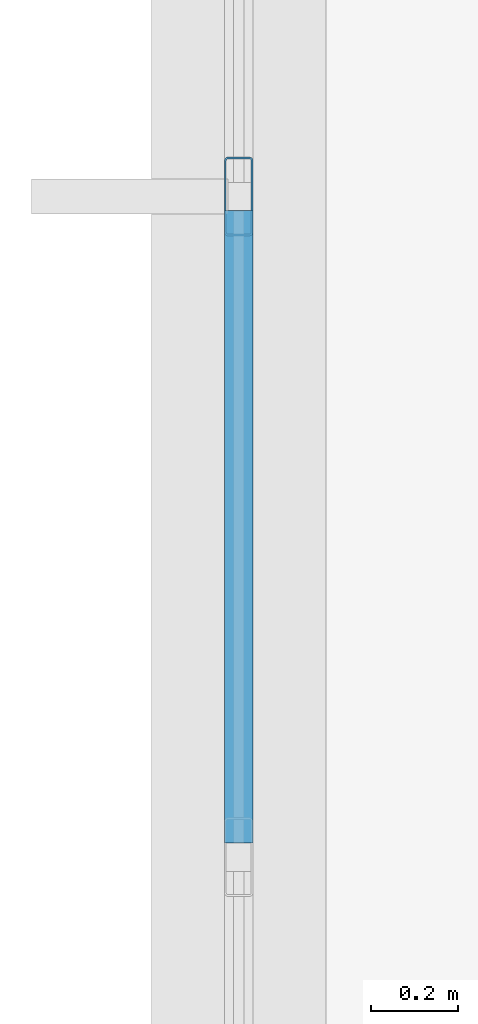
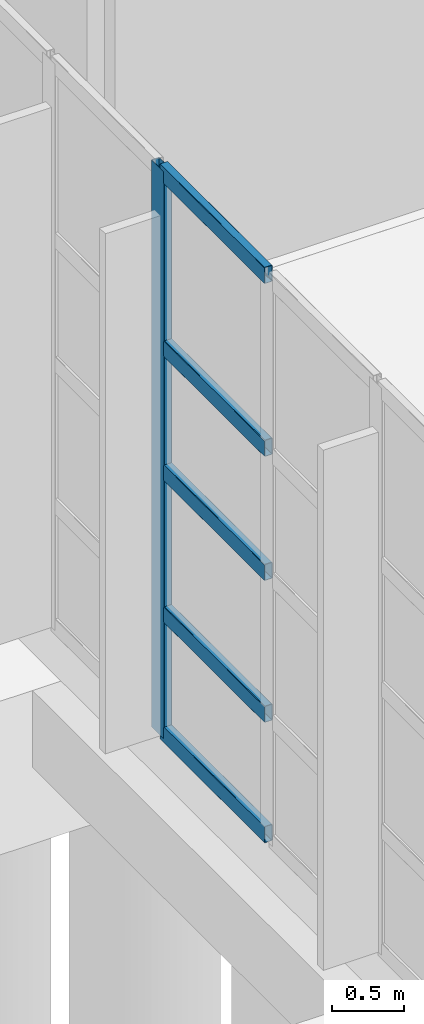
# One storey, part 27 of 83: 6 members, 1 element without a shape of its own.
"""IFC4 building model written with IfcOpenShell, lengths in metres."""

import ifcopenshell
import ifcopenshell.guid

model = None  # the IFC model being written
_history = None  # IfcOwnerHistory: only IFC2X3 demands one
_inside = {}  # id of a spatial element -> (the spatial element, [elements in it])
_under = {}  # id of a project, library or spatial element -> (it, [spatial elements below it])
_declared = {}  # id of a project -> (the project, [libraries it declares])
_typed = {}  # id of a type object -> (the type object, [elements of that type])
_made_of = {}  # id of a material, layer set ... -> (it, [elements and type objects made of it])


def new_model(schema):
    """Start an empty IFC model of exactly this schema.

    Asked for "IFC4X3", IfcOpenShell would pick the latest addendum, in which some entities
    have other attributes; the version numbers below select the first issue.
    IFC2X3 requires an IfcOwnerHistory on every rooted entity: one is made here for all.
    """
    global model, _history
    if schema == "IFC4X3":
        model = ifcopenshell.file(schema_version=(4, 3, 0, 0))
    else:
        model = ifcopenshell.file(schema=schema)
    _inside.clear()
    _under.clear()
    _declared.clear()
    _typed.clear()
    _made_of.clear()
    _history = None
    if model.schema == "IFC2X3":
        org = make("IfcOrganization", Name="unknown")
        user = make(
            "IfcPersonAndOrganization",
            ThePerson=make("IfcPerson", FamilyName="unknown"),
            TheOrganization=org,
        )
        app = make(
            "IfcApplication",
            ApplicationDeveloper=org,
            Version="unknown",
            ApplicationFullName="unknown",
            ApplicationIdentifier="unknown",
        )
        _history = make(
            "IfcOwnerHistory",
            OwningUser=user,
            OwningApplication=app,
            ChangeAction="ADDED",
            CreationDate=0,
        )
    return model


def make(cls, **values):
    """One entity of the class cls with the attributes given. An attribute that is None is left unset."""
    return model.create_entity(
        cls, **{name: value for name, value in values.items() if value is not None}
    )


def rooted(cls, **values):
    """An entity with a GlobalId (a new one), such as an element, a storey or a relation."""
    return make(cls, GlobalId=ifcopenshell.guid.new(), OwnerHistory=_history, **values)


def si_unit(unit_type, name, prefix=None):
    """IfcSIUnit, for example si_unit("LENGTHUNIT", "METRE", prefix="MILLI")."""
    return make("IfcSIUnit", UnitType=unit_type, Prefix=prefix, Name=name)


def assignment(units):
    """IfcUnitAssignment: the units of a project."""
    return None if units is None else make("IfcUnitAssignment", Units=units)


def point(xyz):
    """IfcCartesianPoint."""
    return None if xyz is None else make("IfcCartesianPoint", Coordinates=xyz)


def direction(xyz):
    """IfcDirection."""
    return None if xyz is None else make("IfcDirection", DirectionRatios=xyz)


def frame(location, z_axis=None, x_axis=None):
    """IfcAxis2Placement3D, a coordinate frame: its origin and axes. An axis left out is left unset."""
    return make(
        "IfcAxis2Placement3D",
        Location=point(location),
        Axis=direction(z_axis),
        RefDirection=direction(x_axis),
    )


def frame_2d(location, x_axis=None):
    """IfcAxis2Placement2D, a coordinate frame in the plane: its origin and x axis."""
    return make(
        "IfcAxis2Placement2D", Location=point(location), RefDirection=direction(x_axis)
    )


def origin():
    """The frame at (0, 0, 0) with its axes left unset."""
    return frame((0.0, 0.0, 0.0))


def origin_2d():
    """The frame at (0, 0) in the plane with its x axis left unset."""
    return frame_2d((0.0, 0.0))


def place(relative_to, where):
    """IfcLocalPlacement: puts the frame where relative to a parent placement (None: the world)."""
    return make(
        "IfcLocalPlacement", PlacementRelTo=relative_to, RelativePlacement=where
    )


def context(
    kind, dimensions, precision=None, world=None, true_north=None, identifier=None
):
    """IfcGeometricRepresentationContext, for example the 3D "Model" context."""
    return make(
        "IfcGeometricRepresentationContext",
        ContextIdentifier=identifier,
        ContextType=kind,
        CoordinateSpaceDimension=dimensions,
        Precision=precision,
        WorldCoordinateSystem=world,
        TrueNorth=true_north,
    )


def subcontext(parent, identifier, kind, view, scale=None):
    """IfcGeometricRepresentationSubContext, for example "Body" below "Model"."""
    return make(
        "IfcGeometricRepresentationSubContext",
        ContextIdentifier=identifier,
        ContextType=kind,
        ParentContext=parent,
        TargetScale=scale,
        TargetView=view,
    )


def project(units=None, contexts=None):
    """IfcProject with its units and contexts."""
    return rooted(
        "IfcProject",
        Name="project",
        RepresentationContexts=contexts,
        UnitsInContext=assignment(units),
    )


def spatial(cls, under=None, at=None, **own):
    """A site, building, storey or space (cls), placed at a placement, below another one or the project."""
    s = rooted(cls, ObjectPlacement=at, **own)
    if under is not None:
        _under.setdefault(under.id(), (under, []))[1].append(s)
    return s


def profile(cls, at=None, kind="AREA", **sizes):
    """A parametric profile (cls). Its sizes go by their IFC names, for example OverallWidth=200.0."""
    return make(cls, ProfileType=kind, Position=at, **sizes)


def hollow_rectangle(**sizes):
    """IfcRectangleHollowProfileDef."""
    return profile("IfcRectangleHollowProfileDef", **sizes)


def extrude(swept, where, along, depth):
    """IfcExtrudedAreaSolid: the profile swept, set in the frame where, extruded along a direction by depth."""
    return make(
        "IfcExtrudedAreaSolid",
        SweptArea=swept,
        Position=where,
        ExtrudedDirection=direction(along),
        Depth=depth,
    )


def shape(context_of_items, identifier, shape_type, items):
    """IfcShapeRepresentation: the items that make up one representation, for example the "Body"."""
    return make(
        "IfcShapeRepresentation",
        ContextOfItems=context_of_items,
        RepresentationIdentifier=identifier,
        RepresentationType=shape_type,
        Items=items,
    )


def material(Name=None, Category=None):
    """IfcMaterial."""
    return make("IfcMaterial", Name=Name, Category=Category)


def layer(
    of_material, thickness, ventilated=None, Name=None, Category=None, Priority=None
):
    """IfcMaterialLayer: one layer of a wall or slab, of a material (None: an air gap)."""
    return make(
        "IfcMaterialLayer",
        Material=of_material,
        LayerThickness=thickness,
        IsVentilated=ventilated,
        Name=Name,
        Category=Category,
        Priority=Priority,
    )


def layer_set(layers, Name=None):
    """IfcMaterialLayerSet."""
    return make("IfcMaterialLayerSet", MaterialLayers=layers, LayerSetName=Name)


def material_profile(
    of_material, cross_section, Name=None, Category=None, Priority=None
):
    """IfcMaterialProfile: a cross section and its material."""
    return make(
        "IfcMaterialProfile",
        Name=Name,
        Material=of_material,
        Profile=cross_section,
        Priority=Priority,
        Category=Category,
    )


def profile_set(profiles, Name=None, composite=None):
    """IfcMaterialProfileSet."""
    return make(
        "IfcMaterialProfileSet",
        Name=Name,
        MaterialProfiles=profiles,
        CompositeProfile=composite,
    )


def made_of(thing, what):
    """Note that an element or type object is made of a material, layer set ...; save() writes the relation."""
    if what is not None:
        _made_of.setdefault(what.id(), (what, []))[1].append(thing)
    return thing


def type_object(cls, material=None, **own):
    """A type object (cls), such as IfcWallType, which elements share."""
    return made_of(rooted(cls, **own), material)


def element(
    cls,
    number,
    at=None,
    inside=None,
    cuts=None,
    type_object=None,
    material=None,
    context=None,
    identifier="Body",
    shape_type=None,
    held_by="IfcProductDefinitionShape",
    body=None,
    shapes=None,
    **own,
):
    """One element of the class cls, such as IfcWall. Its Tag is "e" and its number.

    at: its placement. inside: the storey or other place that contains it. cuts: it is an
    opening in that element (IfcRelVoidsElement). A single representation is given by context,
    identifier, shape_type and body (its items); several are given by shapes. held_by: the class
    of the entity that holds the representations. save() writes the other relations.
    """
    e = rooted(cls, Tag="e%d" % number, ObjectPlacement=at, **own)
    if body is not None:
        shapes = [shape(context, identifier, shape_type, body)]
    if shapes is not None:
        e.Representation = make(held_by, Representations=shapes)
    if inside is not None:
        _inside.setdefault(inside.id(), (inside, []))[1].append(e)
    if cuts is not None:
        rooted(
            "IfcRelVoidsElement", RelatingBuildingElement=cuts, RelatedOpeningElement=e
        )
    if type_object is not None:
        _typed.setdefault(type_object.id(), (type_object, []))[1].append(e)
    return made_of(e, material)


def aggregate(whole, parts):
    """IfcRelAggregates: a whole, such as a stair, and the parts it consists of."""
    return rooted("IfcRelAggregates", RelatingObject=whole, RelatedObjects=parts)


def save(model, path):
    """Write the relations noted so far, then the file.

    IfcRelAggregates (storeys below a building ...), IfcRelContainedInSpatialStructure (elements
    in a storey), IfcRelDefinesByType, IfcRelAssociatesMaterial and IfcRelDeclares: one each for
    every whole, place, type object, material and project.
    """
    for whole, parts in _under.values():
        aggregate(whole, parts)
    for where, things in _inside.values():
        rooted(
            "IfcRelContainedInSpatialStructure",
            RelatedElements=things,
            RelatingStructure=where,
        )
    for kind, things in _typed.values():
        rooted("IfcRelDefinesByType", RelatedObjects=things, RelatingType=kind)
    for what, things in _made_of.values():
        rooted("IfcRelAssociatesMaterial", RelatedObjects=things, RelatingMaterial=what)
    for by, libraries in _declared.values():
        rooted("IfcRelDeclares", RelatingContext=by, RelatedDefinitions=libraries)
    model.write(path)


model = new_model("IFC4")

# Units and contexts
model_context = context("Model", 3, precision=1e-05, world=origin(), true_north=direction((0.0, 1.0)))
body_context = subcontext(model_context, "Body", "Model", "MODEL_VIEW")
ifc_project = project(units=[si_unit("LENGTHUNIT", "METRE"), si_unit("AREAUNIT", "SQUARE_METRE"), si_unit("VOLUMEUNIT", "CUBIC_METRE"), si_unit("PLANEANGLEUNIT", "RADIAN"), si_unit("MASSUNIT", "GRAM", prefix="KILO"), si_unit("THERMODYNAMICTEMPERATUREUNIT", "KELVIN"), si_unit("POWERUNIT", "WATT")], contexts=[model_context])

# Site, building, storey
site_placement = place(None, origin())
site = spatial("IfcSite", under=ifc_project, at=site_placement, CompositionType="ELEMENT")
building_placement = place(site_placement, origin())
building = spatial("IfcBuilding", under=site, at=building_placement, Name="Mavoryth Pier Ferry Terminal", CompositionType="ELEMENT")
storey_placement = place(building_placement, origin())
storey = spatial("IfcBuildingStorey", under=building, at=storey_placement, Name="L00", CompositionType="ELEMENT", Elevation=0.0)

# Curtain wall, members
ifc_material_1 = material(Name="Anodised Aluminium and Solar-Control Low-E Glass", Category="aluminium")
ifc_layer = layer(ifc_material_1, 0.179931640625, Name="Anodised Aluminium and Solar-Control Low-E Glass", Category="aluminium")
ifc_layer_set = layer_set([ifc_layer], Name="Anodised Aluminium and Solar-Control Low-E Glass - CW-Concourse-Mod1400")
curtain_wall_type = type_object("IfcCurtainWallType", Name="CW-Concourse-Mod1400", PredefinedType="USERDEFINED", material=ifc_layer_set)
curtain_wall_placement = place(storey_placement, origin())
curtain_wall = element("IfcCurtainWall", 1, at=curtain_wall_placement, inside=storey, type_object=curtain_wall_type, Name="Curtain Wall CW-0033-025", ObjectType="UNITISED CURTAIN WALL", PredefinedType="USERDEFINED")
ifc_material_2 = material(Name="Anodised Aluminium EN AW-6063", Category="aluminium")
ifc_material_profile_1 = material_profile(ifc_material_2, hollow_rectangle(XDim=0.06494140625, YDim=0.179931640625, WallThickness=0.00390625, InnerFilletRadius=0.00390625, OuterFilletRadius=0.008056640625, at=origin_2d()), Name="AL-MULL 180x65x4", Category="aluminium")
ifc_profile_set_1 = profile_set([ifc_material_profile_1], Name="Anodised Aluminium EN AW-6063 - AL-MULL 180x65x4")
member_type_1 = type_object("IfcMemberType", Name="Mullion-Alum-180x65", PredefinedType="MULLION", material=ifc_profile_set_1)
member_1_placement = place(storey_placement, frame((0.0, 94.155029296875, 0.0), z_axis=(0.0, 0.0, 1.0), x_axis=(1.0, 0.0, 0.0)))
member_1 = element("IfcMember", 2, at=member_1_placement, type_object=member_type_1, Name="CW01 mullion 3", PredefinedType="MULLION", context=body_context, shape_type="SweptSolid", body=[
    extrude(hollow_rectangle(XDim=0.06494140625, YDim=0.179931640625, WallThickness=0.00390625, InnerFilletRadius=0.00390625, OuterFilletRadius=0.008056640625, at=origin_2d()), origin(), (0.0, 0.0, 1.0), 4.794921875),
])
ifc_material_profile_2 = material_profile(ifc_material_2, hollow_rectangle(XDim=0.06494140625, YDim=0.139892578125, WallThickness=0.00390625, InnerFilletRadius=0.00390625, OuterFilletRadius=0.008056640625, at=origin_2d()), Name="AL-TRAN 140x65x4", Category="aluminium")
ifc_profile_set_2 = profile_set([ifc_material_profile_2], Name="Anodised Aluminium EN AW-6063 - AL-TRAN 140x65x4")
member_type_2 = type_object("IfcMemberType", Name="Transom-Alum-140x65", PredefinedType="USERDEFINED", material=ifc_profile_set_2)
member_2_placement = place(storey_placement, frame((0.0, 94.12255859375, 0.032470703125), z_axis=(0.0, -1.0, 0.0), x_axis=(1.0, 0.0, 0.0)))
member_2 = element("IfcMember", 3, at=member_2_placement, type_object=member_type_2, Name="CW01 transom 3.1", ObjectType="TRANSOM", PredefinedType="USERDEFINED", context=body_context, shape_type="SweptSolid", body=[
    extrude(hollow_rectangle(XDim=0.06494140625, YDim=0.139892578125, WallThickness=0.00390625, InnerFilletRadius=0.00390625, OuterFilletRadius=0.008056640625, at=origin_2d()), origin(), (0.0, 0.0, 1.0), 1.445068359375),
])
member_3_placement = place(storey_placement, frame((0.0, 94.12255859375, 1.050048828125), z_axis=(0.0, -1.0, 0.0), x_axis=(1.0, 0.0, 0.0)))
member_3 = element("IfcMember", 4, at=member_3_placement, type_object=member_type_2, Name="CW01 transom 3.2", ObjectType="TRANSOM", PredefinedType="USERDEFINED", context=body_context, shape_type="SweptSolid", body=[
    extrude(hollow_rectangle(XDim=0.06494140625, YDim=0.139892578125, WallThickness=0.00390625, InnerFilletRadius=0.00390625, OuterFilletRadius=0.008056640625, at=origin_2d()), origin(), (0.0, 0.0, 1.0), 1.445068359375),
])
member_4_placement = place(storey_placement, frame((0.0, 94.12255859375, 2.25), z_axis=(0.0, -1.0, 0.0), x_axis=(1.0, 0.0, 0.0)))
member_4 = element("IfcMember", 5, at=member_4_placement, type_object=member_type_2, Name="CW01 transom 3.3", ObjectType="TRANSOM", PredefinedType="USERDEFINED", context=body_context, shape_type="SweptSolid", body=[
    extrude(hollow_rectangle(XDim=0.06494140625, YDim=0.139892578125, WallThickness=0.00390625, InnerFilletRadius=0.00390625, OuterFilletRadius=0.008056640625, at=origin_2d()), origin(), (0.0, 0.0, 1.0), 1.445068359375),
])
member_5_placement = place(storey_placement, frame((0.0, 94.12255859375, 3.300048828125), z_axis=(0.0, -1.0, 0.0), x_axis=(1.0, 0.0, 0.0)))
member_5 = element("IfcMember", 6, at=member_5_placement, type_object=member_type_2, Name="CW01 transom 3.4", ObjectType="TRANSOM", PredefinedType="USERDEFINED", context=body_context, shape_type="SweptSolid", body=[
    extrude(hollow_rectangle(XDim=0.06494140625, YDim=0.139892578125, WallThickness=0.00390625, InnerFilletRadius=0.00390625, OuterFilletRadius=0.008056640625, at=origin_2d()), origin(), (0.0, 0.0, 1.0), 1.445068359375),
])
member_6_placement = place(storey_placement, frame((0.0, 94.12255859375, 4.762451171875), z_axis=(0.0, -1.0, 0.0), x_axis=(1.0, 0.0, 0.0)))
member_6 = element("IfcMember", 7, at=member_6_placement, type_object=member_type_2, Name="CW01 transom 3.5", ObjectType="TRANSOM", PredefinedType="USERDEFINED", context=body_context, shape_type="SweptSolid", body=[
    extrude(hollow_rectangle(XDim=0.06494140625, YDim=0.139892578125, WallThickness=0.00390625, InnerFilletRadius=0.00390625, OuterFilletRadius=0.008056640625, at=origin_2d()), origin(), (0.0, 0.0, 1.0), 1.445068359375),
])
aggregate(curtain_wall, [member_1, member_2, member_3, member_4, member_5, member_6])

save(model, "model.ifc")
